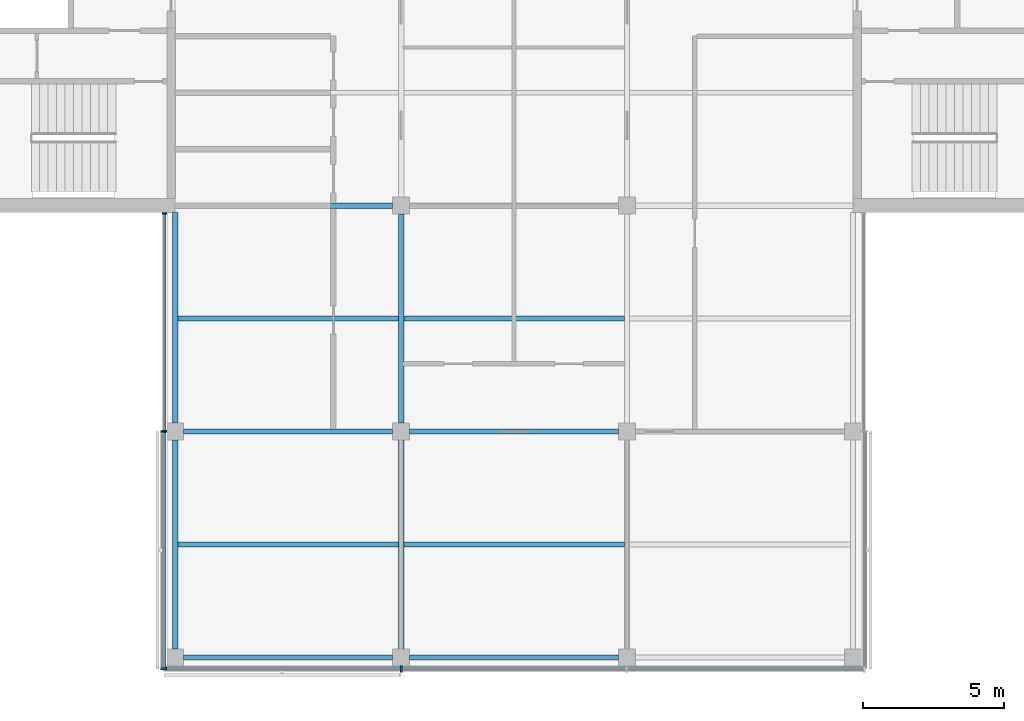
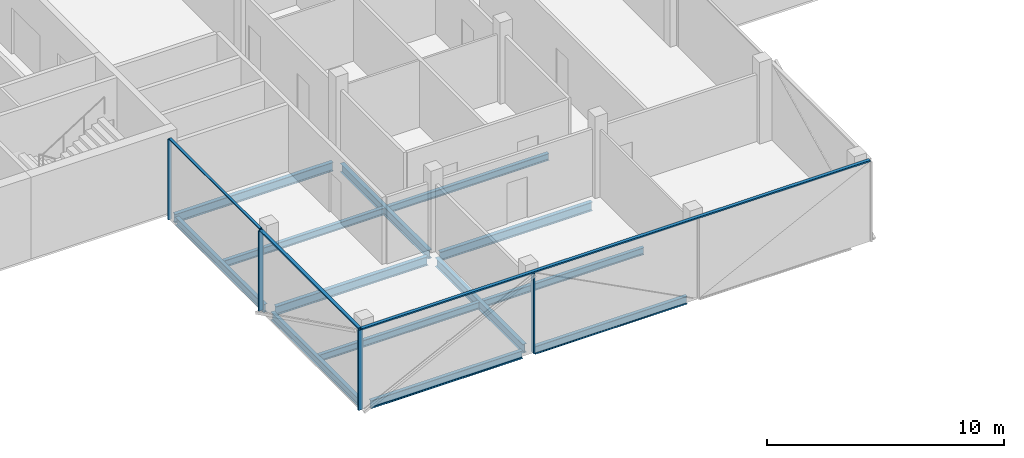
# One storey, part 2 of 16: 13 beams, 8 members, 3 elements without a shape of their own.
"""IFC4 building model written with IfcOpenShell, lengths in metres."""

from ifc_helpers import new_model, si_unit, direction, frame, origin, origin_2d, place, context, subcontext, project, spatial, rectangle, i_section, extrude, material, material_profile, profile_set, type_object, element, aggregate, save


model = new_model("IFC4")

# Units and contexts
model_context = context("Model", 3, precision=1e-05, world=origin(), true_north=direction((0.0, 1.0)))
body_context = subcontext(model_context, "Body", "Model", "MODEL_VIEW")
ifc_project = project(units=[si_unit("LENGTHUNIT", "METRE"), si_unit("AREAUNIT", "SQUARE_METRE"), si_unit("VOLUMEUNIT", "CUBIC_METRE"), si_unit("PLANEANGLEUNIT", "RADIAN"), si_unit("MASSUNIT", "GRAM", prefix="KILO")], contexts=[model_context])

# Site, building, storey
site_placement = place(None, origin())
site = spatial("IfcSite", under=ifc_project, at=site_placement, CompositionType="ELEMENT")
building_placement = place(site_placement, origin())
building = spatial("IfcBuilding", under=site, at=building_placement, Name="Crosswind Convention Tower", CompositionType="ELEMENT")
storey_placement = place(building_placement, frame((0.0, 0.0, 340.699951171875)))
storey = spatial("IfcBuildingStorey", under=building, at=storey_placement, Name="L74", CompositionType="ELEMENT", Elevation=340.699951171875)

# Beams
ifc_material_1 = material(Name="Steel S355", Category="steel")
ifc_material_profile_1 = material_profile(ifc_material_1, i_section(OverallWidth=0.177734375, OverallDepth=0.406494140625, WebThickness=0.0078125, FlangeThickness=0.0126953125, FilletRadius=0.01025390625, at=origin_2d()), Name="UB 406x178x60")
ifc_profile_set_1 = profile_set([ifc_material_profile_1], Name="Steel S355")
beam_type_1 = type_object("IfcBeamType", Name="Edge beam UB 406x178x60", PredefinedType="SPANDREL", material=ifc_profile_set_1)
beam_1_placement = place(storey_placement, frame((113.0, 72.300048828125, -0.503173828125), z_axis=(0.0, 1.0, 0.0), x_axis=(-1.0, 0.0, 0.0)))
element("IfcBeam", 1, at=beam_1_placement, inside=storey, type_object=beam_type_1, Name="B15 L74 edge beam 1", PredefinedType="SPANDREL", context=body_context, shape_type="SweptSolid", body=[
    extrude(i_section(OverallWidth=0.177734375, OverallDepth=0.406494140625, WebThickness=0.0078125, FlangeThickness=0.0126953125, FilletRadius=0.01025390625, at=origin_2d()), origin(), (0.0, 0.0, 1.0), 7.39990234375),
])
beam_2_placement = place(storey_placement, frame((113.0, 80.300048828125, -0.503173828125), z_axis=(0.0, 1.0, 0.0), x_axis=(-1.0, 0.0, 0.0)))
element("IfcBeam", 2, at=beam_2_placement, inside=storey, type_object=beam_type_1, Name="B15 L74 edge beam 2", PredefinedType="SPANDREL", context=body_context, shape_type="SweptSolid", body=[
    extrude(i_section(OverallWidth=0.177734375, OverallDepth=0.406494140625, WebThickness=0.0078125, FlangeThickness=0.0126953125, FilletRadius=0.01025390625, at=origin_2d()), origin(), (0.0, 0.0, 1.0), 7.449951171875),
])
for number, where, z_axis, x_axis, name in (
    (3, (113.300048828125, 72.0, -0.503173828125), (1.0, 0.0, 0.0), (0.0, 1.0, 0.0), "B15 L74 edge beam 5"),
    (4, (121.300048828125, 72.0, -0.503173828125), (1.0, 0.0, 0.0), (0.0, 1.0, 0.0), "B15 L74 edge beam 7"),
):
    element("IfcBeam", number, at=place(storey_placement, frame(where, z_axis=z_axis, x_axis=x_axis)), inside=storey, type_object=beam_type_1, Name=name, PredefinedType="SPANDREL", context=body_context, shape_type="SweptSolid", body=[
        extrude(i_section(OverallWidth=0.177734375, OverallDepth=0.406494140625, WebThickness=0.0078125, FlangeThickness=0.0126953125, FilletRadius=0.01025390625, at=origin_2d()), origin(), (0.0, 0.0, 1.0), 7.39990234375),
    ])
ifc_material_profile_2 = material_profile(ifc_material_1, i_section(OverallWidth=0.18994140625, OverallDepth=0.45361328125, WebThickness=0.008544921875, FlangeThickness=0.0126953125, FilletRadius=0.01025390625, at=origin_2d()), Name="UB 457x191x67")
ifc_profile_set_2 = profile_set([ifc_material_profile_2], Name="Steel S355")
beam_type_2 = type_object("IfcBeamType", Name="Girder UB 457x191x67", PredefinedType="BEAM", material=ifc_profile_set_2)
for number, where, z_axis, x_axis, name in (
    (5, (113.300048828125, 80.0, -0.52685546875), (1.0, 0.0, 0.0), (0.0, 1.0, 0.0), "B1 L74 girder 1"),
    (6, (121.0, 72.300048828125, -0.52685546875), (0.0, 1.0, 0.0), (-1.0, 0.0, 0.0), "B1 L74 girder 3"),
    (7, (121.0, 80.300048828125, -0.52685546875), (0.0, 1.0, 0.0), (-1.0, 0.0, 0.0), "B1 L74 girder 4"),
    (8, (121.300048828125, 80.0, -0.52685546875), (1.0, 0.0, 0.0), (0.0, 1.0, 0.0), "B1 L74 girder 10"),
):
    element("IfcBeam", number, at=place(storey_placement, frame(where, z_axis=z_axis, x_axis=x_axis)), inside=storey, type_object=beam_type_2, Name=name, PredefinedType="BEAM", context=body_context, shape_type="SweptSolid", body=[
        extrude(i_section(OverallWidth=0.18994140625, OverallDepth=0.45361328125, WebThickness=0.008544921875, FlangeThickness=0.0126953125, FilletRadius=0.01025390625, at=origin_2d()), origin(), (0.0, 0.0, 1.0), 7.39990234375),
    ])
ifc_material_profile_3 = material_profile(ifc_material_1, i_section(OverallWidth=0.1904296875, OverallDepth=0.457275390625, WebThickness=0.009033203125, FlangeThickness=0.014404296875, FilletRadius=0.01025390625, at=origin_2d()), Name="UB 457x191x75")
ifc_profile_set_3 = profile_set([ifc_material_profile_3], Name="Steel S355")
beam_type_3 = type_object("IfcBeamType", Name="Girder at core wall UB 457x191x75", PredefinedType="BEAM", material=ifc_profile_set_3)
beam_3_placement = place(storey_placement, frame((113.0, 88.0, -0.528564453125), z_axis=(1.0, 0.0, 0.0), x_axis=(0.0, 1.0, 0.0)))
element("IfcBeam", 9, at=beam_3_placement, inside=storey, type_object=beam_type_3, Name="B22 L74 girder at core wall 1", PredefinedType="BEAM", context=body_context, shape_type="SweptSolid", body=[
    extrude(i_section(OverallWidth=0.1904296875, OverallDepth=0.457275390625, WebThickness=0.009033203125, FlangeThickness=0.014404296875, FilletRadius=0.01025390625, at=origin_2d()), origin(), (0.0, 0.0, 1.0), 7.699951171875),
])

# Curtain wall, members
ifc_material_2 = material(Name="Aluminium unitised curtain wall", Category="aluminium")
curtain_wall_type_1 = type_object("IfcCurtainWallType", Name="CORE END SLOT WALL 160", PredefinedType="USERDEFINED", material=ifc_material_2)
curtain_wall_1_placement = place(storey_placement, origin())
curtain_wall_1 = element("IfcCurtainWall", 10, at=curtain_wall_1_placement, inside=storey, type_object=curtain_wall_type_1, Name="CW6 L74 S-W.1-1 slot", ObjectType="UNITISED", PredefinedType="USERDEFINED")
ifc_material_3 = material(Name="Aluminium mullion", Category="aluminium")
ifc_material_profile_4 = material_profile(ifc_material_3, rectangle(XDim=0.159912109375, YDim=0.050048828125, at=origin_2d()), Name="AL 160X50")
ifc_profile_set_4 = profile_set([ifc_material_profile_4], Name="Aluminium mullion")
member_type_1 = type_object("IfcMemberType", Name="MULLION 50X160", PredefinedType="MULLION", material=ifc_profile_set_4)
member_1_placement = place(storey_placement, frame((112.6201171875, 87.72509765625, -0.300048828125), z_axis=(0.0, 0.0, 1.0), x_axis=(-1.0, 0.0, 0.0)))
member_1 = element("IfcMember", 11, at=member_1_placement, type_object=member_type_1, Name="CW6 mullion 1", PredefinedType="MULLION", context=body_context, shape_type="SweptSolid", body=[
    extrude(rectangle(XDim=0.159912109375, YDim=0.050048828125, at=origin_2d()), origin(), (0.0, 0.0, 1.0), 4.150146484375),
])
member_2_placement = place(storey_placement, frame((112.6201171875, 80.02490234375, -0.300048828125), z_axis=(0.0, 0.0, 1.0), x_axis=(-1.0, 0.0, 0.0)))
member_2 = element("IfcMember", 12, at=member_2_placement, type_object=member_type_1, Name="CW6 mullion 2", PredefinedType="MULLION", context=body_context, shape_type="SweptSolid", body=[
    extrude(rectangle(XDim=0.159912109375, YDim=0.050048828125, at=origin_2d()), origin(), (0.0, 0.0, 1.0), 4.150146484375),
])

curtain_wall_type_2 = type_object("IfcCurtainWallType", Name="OFFICE UNITISED WALL 220", PredefinedType="USERDEFINED", material=ifc_material_2)
curtain_wall_2_placement = place(storey_placement, origin())
curtain_wall_2 = element("IfcCurtainWall", 13, at=curtain_wall_2_placement, inside=storey, type_object=curtain_wall_type_2, Name="CW3 L74 S-W 1", ObjectType="UNITISED", PredefinedType="USERDEFINED")
ifc_material_profile_5 = material_profile(ifc_material_3, rectangle(XDim=0.219970703125, YDim=0.070068359375, at=origin_2d()), Name="AL 220X70")
ifc_profile_set_5 = profile_set([ifc_material_profile_5], Name="Aluminium mullion")
member_type_2 = type_object("IfcMemberType", Name="MULLION 70X220", PredefinedType="MULLION", material=ifc_profile_set_5)
member_3_placement = place(storey_placement, frame((112.590087890625, 80.0, -0.300048828125), z_axis=(0.0, 0.0, 1.0), x_axis=(-1.0, 0.0, 0.0)))
member_3 = element("IfcMember", 14, at=member_3_placement, type_object=member_type_2, Name="CW3 mullion 1", PredefinedType="MULLION", context=body_context, shape_type="SweptSolid", body=[
    extrude(rectangle(XDim=0.219970703125, YDim=0.070068359375, at=origin_2d()), origin(), (0.0, 0.0, 1.0), 4.130126953125),
])
member_4_placement = place(storey_placement, frame((112.590087890625, 71.590087890625, -0.300048828125), z_axis=(0.0, 0.0, 1.0), x_axis=(-1.0, 0.0, 0.0)))
member_4 = element("IfcMember", 15, at=member_4_placement, type_object=member_type_2, Name="CW3 mullion 2", PredefinedType="MULLION", context=body_context, shape_type="SweptSolid", body=[
    extrude(rectangle(XDim=0.219970703125, YDim=0.070068359375, at=origin_2d()), origin(), (0.0, 0.0, 1.0), 4.130126953125),
])

# Curtain wall, member
curtain_wall_3_placement = place(storey_placement, origin())
curtain_wall_3 = element("IfcCurtainWall", 16, at=curtain_wall_3_placement, inside=storey, type_object=curtain_wall_type_2, Name="CW3 L74 S-TIP 1", ObjectType="UNITISED", PredefinedType="USERDEFINED")
member_5_placement = place(storey_placement, frame((121.0, 71.590087890625, -0.300048828125), z_axis=(0.0, 0.0, 1.0), x_axis=(0.0, -1.0, 0.0)))
member_5 = element("IfcMember", 17, at=member_5_placement, type_object=member_type_2, Name="CW3 mullion 2", PredefinedType="MULLION", context=body_context, shape_type="SweptSolid", body=[
    extrude(rectangle(XDim=0.219970703125, YDim=0.070068359375, at=origin_2d()), origin(), (0.0, 0.0, 1.0), 4.130126953125),
])

# Beams
ifc_material_profile_6 = material_profile(ifc_material_1, i_section(OverallWidth=0.17138671875, OverallDepth=0.355712890625, WebThickness=0.00732421875, FlangeThickness=0.011474609375, FilletRadius=0.01025390625, at=origin_2d()), Name="UB 356x171x51")
ifc_profile_set_6 = profile_set([ifc_material_profile_6], Name="Steel S355")
beam_type_4 = type_object("IfcBeamType", Name="Secondary beam UB 356x171x51", PredefinedType="JOIST", material=ifc_profile_set_6)
for number, where, z_axis, x_axis, name in (
    (18, (113.0888671875, 76.0, -0.477783203125), (1.0, 0.0, 0.0), (0.0, 1.0, 0.0), "B8 L74 secondary beam 4"),
    (19, (113.0888671875, 84.0, -0.477783203125), (1.0, 0.0, 0.0), (0.0, 1.0, 0.0), "B8 L74 secondary beam 5"),
):
    element("IfcBeam", number, at=place(storey_placement, frame(where, z_axis=z_axis, x_axis=x_axis)), inside=storey, type_object=beam_type_4, Name=name, PredefinedType="JOIST", context=body_context, shape_type="SweptSolid", body=[
        extrude(i_section(OverallWidth=0.17138671875, OverallDepth=0.355712890625, WebThickness=0.00732421875, FlangeThickness=0.011474609375, FilletRadius=0.01025390625, at=origin_2d()), origin(), (0.0, 0.0, 1.0), 7.816162109375),
    ])
for number, where, z_axis, x_axis, name in (
    (20, (121.094970703125, 76.0, -0.477783203125), (1.0, 0.0, 0.0), (0.0, 1.0, 0.0), "B8 L74 secondary beam 8"),
    (21, (121.094970703125, 84.0, -0.477783203125), (1.0, 0.0, 0.0), (0.0, 1.0, 0.0), "B8 L74 secondary beam 9"),
):
    element("IfcBeam", number, at=place(storey_placement, frame(where, z_axis=z_axis, x_axis=x_axis)), inside=storey, type_object=beam_type_4, Name=name, PredefinedType="JOIST", context=body_context, shape_type="SweptSolid", body=[
        extrude(i_section(OverallWidth=0.17138671875, OverallDepth=0.355712890625, WebThickness=0.00732421875, FlangeThickness=0.011474609375, FilletRadius=0.01025390625, at=origin_2d()), origin(), (0.0, 0.0, 1.0), 7.81005859375),
    ])

# Member
ifc_material_4 = material(Name="Aluminium transom", Category="aluminium")
ifc_material_profile_7 = material_profile(ifc_material_4, rectangle(XDim=0.1201171875, YDim=0.050048828125, at=origin_2d()), Name="AL 120X50")
ifc_profile_set_7 = profile_set([ifc_material_profile_7], Name="Aluminium transom")
member_type_3 = type_object("IfcMemberType", Name="TRANSOM 50X120", PredefinedType="USERDEFINED", material=ifc_profile_set_7)
member_6_placement = place(storey_placement, frame((112.6201171875, 87.699951171875, 3.875), z_axis=(0.0, -1.0, 0.0), x_axis=(1.0, 0.0, 0.0)))
member_6 = element("IfcMember", 22, at=member_6_placement, type_object=member_type_3, Name="CW6 transom", ObjectType="TRANSOM", PredefinedType="USERDEFINED", context=body_context, shape_type="SweptSolid", body=[
    extrude(rectangle(XDim=0.1201171875, YDim=0.050048828125, at=origin_2d()), origin(), (0.0, 0.0, 1.0), 7.64990234375),
])

aggregate(curtain_wall_1, [member_1, member_2, member_6])

ifc_material_profile_8 = material_profile(ifc_material_4, rectangle(XDim=0.159912109375, YDim=0.070068359375, at=origin_2d()), Name="AL 160X70")
ifc_profile_set_8 = profile_set([ifc_material_profile_8], Name="Aluminium transom")
member_type_4 = type_object("IfcMemberType", Name="TRANSOM 70X160", PredefinedType="USERDEFINED", material=ifc_profile_set_8)
member_7_placement = place(storey_placement, frame((112.590087890625, 79.965087890625, 3.864990234375), z_axis=(0.0, -1.0, 0.0), x_axis=(1.0, 0.0, 0.0)))
member_7 = element("IfcMember", 23, at=member_7_placement, type_object=member_type_4, Name="CW3 transom", ObjectType="TRANSOM", PredefinedType="USERDEFINED", context=body_context, shape_type="SweptSolid", body=[
    extrude(rectangle(XDim=0.159912109375, YDim=0.070068359375, at=origin_2d()), origin(), (0.0, 0.0, 1.0), 8.340087890625),
])

aggregate(curtain_wall_2, [member_3, member_4, member_7])

member_8_placement = place(storey_placement, frame((112.625, 71.590087890625, 3.864990234375), z_axis=(1.0, 0.0, 0.0), x_axis=(0.0, 1.0, 0.0)))
member_8 = element("IfcMember", 24, at=member_8_placement, type_object=member_type_4, Name="CW3 transom", ObjectType="TRANSOM", PredefinedType="USERDEFINED", context=body_context, shape_type="SweptSolid", body=[
    extrude(rectangle(XDim=0.159912109375, YDim=0.070068359375, at=origin_2d()), origin(), (0.0, 0.0, 1.0), 24.75),
])

aggregate(curtain_wall_3, [member_5, member_8])

save(model, "model.ifc")
